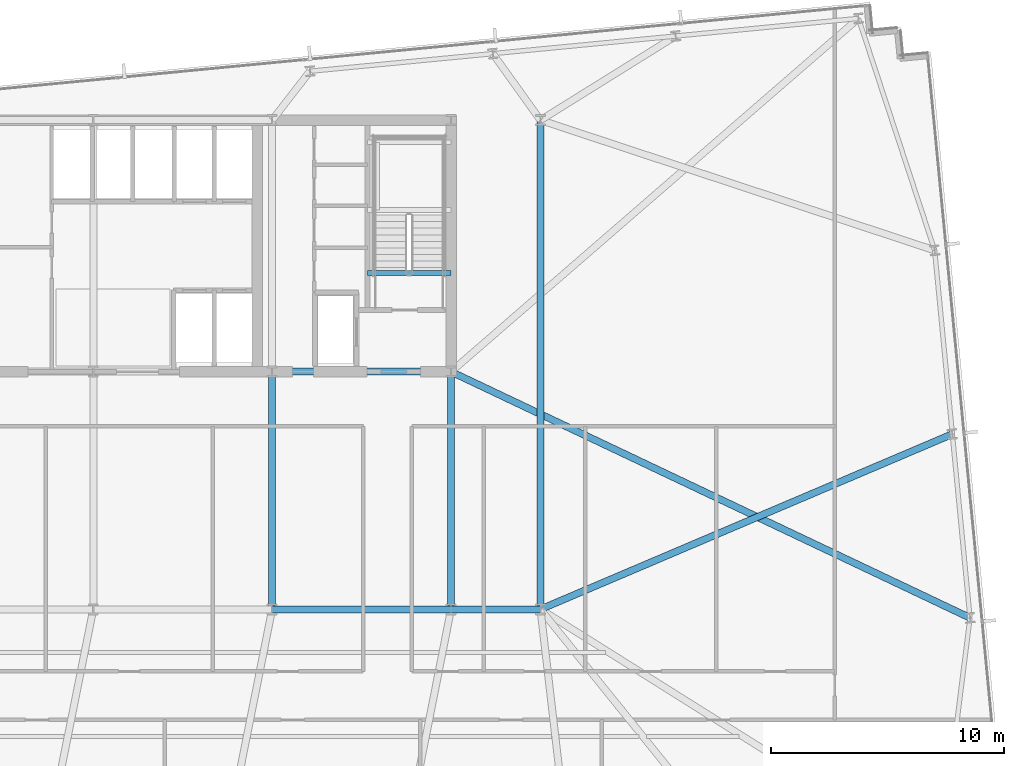
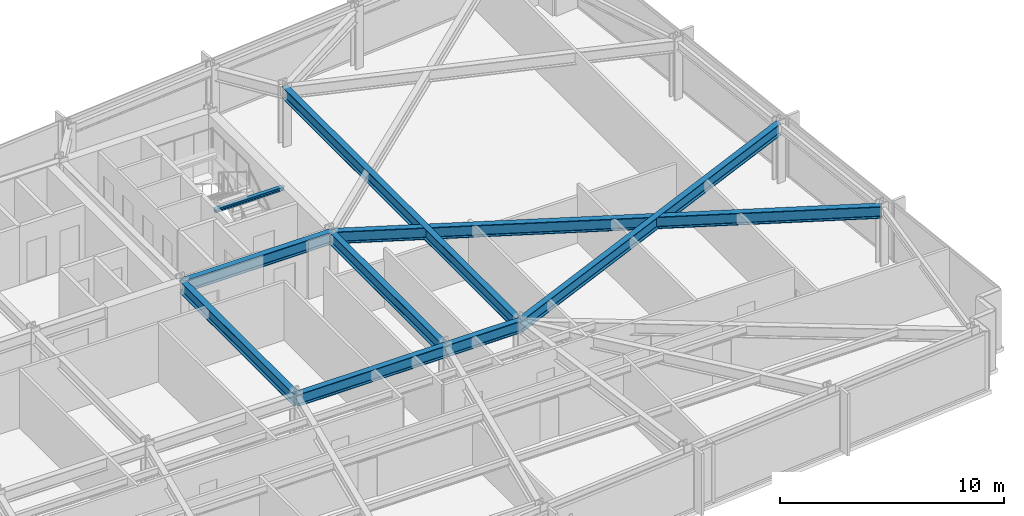
# One storey, part 15 of 33: 9 beams.
"""IFC4 building model written with IfcOpenShell, lengths in metres."""

import ifcopenshell
import ifcopenshell.guid

model = None  # the IFC model being written
_history = None  # IfcOwnerHistory: only IFC2X3 demands one
_inside = {}  # id of a spatial element -> (the spatial element, [elements in it])
_under = {}  # id of a project, library or spatial element -> (it, [spatial elements below it])
_declared = {}  # id of a project -> (the project, [libraries it declares])
_typed = {}  # id of a type object -> (the type object, [elements of that type])
_made_of = {}  # id of a material, layer set ... -> (it, [elements and type objects made of it])


def new_model(schema):
    """Start an empty IFC model of exactly this schema.

    Asked for "IFC4X3", IfcOpenShell would pick the latest addendum, in which some entities
    have other attributes; the version numbers below select the first issue.
    IFC2X3 requires an IfcOwnerHistory on every rooted entity: one is made here for all.
    """
    global model, _history
    if schema == "IFC4X3":
        model = ifcopenshell.file(schema_version=(4, 3, 0, 0))
    else:
        model = ifcopenshell.file(schema=schema)
    _inside.clear()
    _under.clear()
    _declared.clear()
    _typed.clear()
    _made_of.clear()
    _history = None
    if model.schema == "IFC2X3":
        org = make("IfcOrganization", Name="unknown")
        user = make(
            "IfcPersonAndOrganization",
            ThePerson=make("IfcPerson", FamilyName="unknown"),
            TheOrganization=org,
        )
        app = make(
            "IfcApplication",
            ApplicationDeveloper=org,
            Version="unknown",
            ApplicationFullName="unknown",
            ApplicationIdentifier="unknown",
        )
        _history = make(
            "IfcOwnerHistory",
            OwningUser=user,
            OwningApplication=app,
            ChangeAction="ADDED",
            CreationDate=0,
        )
    return model


def make(cls, **values):
    """One entity of the class cls with the attributes given. An attribute that is None is left unset."""
    return model.create_entity(
        cls, **{name: value for name, value in values.items() if value is not None}
    )


def rooted(cls, **values):
    """An entity with a GlobalId (a new one), such as an element, a storey or a relation."""
    return make(cls, GlobalId=ifcopenshell.guid.new(), OwnerHistory=_history, **values)


def si_unit(unit_type, name, prefix=None):
    """IfcSIUnit, for example si_unit("LENGTHUNIT", "METRE", prefix="MILLI")."""
    return make("IfcSIUnit", UnitType=unit_type, Prefix=prefix, Name=name)


def assignment(units):
    """IfcUnitAssignment: the units of a project."""
    return None if units is None else make("IfcUnitAssignment", Units=units)


def point(xyz):
    """IfcCartesianPoint."""
    return None if xyz is None else make("IfcCartesianPoint", Coordinates=xyz)


def direction(xyz):
    """IfcDirection."""
    return None if xyz is None else make("IfcDirection", DirectionRatios=xyz)


def frame(location, z_axis=None, x_axis=None):
    """IfcAxis2Placement3D, a coordinate frame: its origin and axes. An axis left out is left unset."""
    return make(
        "IfcAxis2Placement3D",
        Location=point(location),
        Axis=direction(z_axis),
        RefDirection=direction(x_axis),
    )


def frame_2d(location, x_axis=None):
    """IfcAxis2Placement2D, a coordinate frame in the plane: its origin and x axis."""
    return make(
        "IfcAxis2Placement2D", Location=point(location), RefDirection=direction(x_axis)
    )


def origin():
    """The frame at (0, 0, 0) with its axes left unset."""
    return frame((0.0, 0.0, 0.0))


def origin_2d():
    """The frame at (0, 0) in the plane with its x axis left unset."""
    return frame_2d((0.0, 0.0))


def place(relative_to, where):
    """IfcLocalPlacement: puts the frame where relative to a parent placement (None: the world)."""
    return make(
        "IfcLocalPlacement", PlacementRelTo=relative_to, RelativePlacement=where
    )


def context(
    kind, dimensions, precision=None, world=None, true_north=None, identifier=None
):
    """IfcGeometricRepresentationContext, for example the 3D "Model" context."""
    return make(
        "IfcGeometricRepresentationContext",
        ContextIdentifier=identifier,
        ContextType=kind,
        CoordinateSpaceDimension=dimensions,
        Precision=precision,
        WorldCoordinateSystem=world,
        TrueNorth=true_north,
    )


def subcontext(parent, identifier, kind, view, scale=None):
    """IfcGeometricRepresentationSubContext, for example "Body" below "Model"."""
    return make(
        "IfcGeometricRepresentationSubContext",
        ContextIdentifier=identifier,
        ContextType=kind,
        ParentContext=parent,
        TargetScale=scale,
        TargetView=view,
    )


def project(units=None, contexts=None):
    """IfcProject with its units and contexts."""
    return rooted(
        "IfcProject",
        Name="project",
        RepresentationContexts=contexts,
        UnitsInContext=assignment(units),
    )


def spatial(cls, under=None, at=None, **own):
    """A site, building, storey or space (cls), placed at a placement, below another one or the project."""
    s = rooted(cls, ObjectPlacement=at, **own)
    if under is not None:
        _under.setdefault(under.id(), (under, []))[1].append(s)
    return s


def profile(cls, at=None, kind="AREA", **sizes):
    """A parametric profile (cls). Its sizes go by their IFC names, for example OverallWidth=200.0."""
    return make(cls, ProfileType=kind, Position=at, **sizes)


def i_section(**sizes):
    """IfcIShapeProfileDef."""
    return profile("IfcIShapeProfileDef", **sizes)


def extrude(swept, where, along, depth):
    """IfcExtrudedAreaSolid: the profile swept, set in the frame where, extruded along a direction by depth."""
    return make(
        "IfcExtrudedAreaSolid",
        SweptArea=swept,
        Position=where,
        ExtrudedDirection=direction(along),
        Depth=depth,
    )


def shape(context_of_items, identifier, shape_type, items):
    """IfcShapeRepresentation: the items that make up one representation, for example the "Body"."""
    return make(
        "IfcShapeRepresentation",
        ContextOfItems=context_of_items,
        RepresentationIdentifier=identifier,
        RepresentationType=shape_type,
        Items=items,
    )


def material(Name=None, Category=None):
    """IfcMaterial."""
    return make("IfcMaterial", Name=Name, Category=Category)


def material_profile(
    of_material, cross_section, Name=None, Category=None, Priority=None
):
    """IfcMaterialProfile: a cross section and its material."""
    return make(
        "IfcMaterialProfile",
        Name=Name,
        Material=of_material,
        Profile=cross_section,
        Priority=Priority,
        Category=Category,
    )


def profile_set(profiles, Name=None, composite=None):
    """IfcMaterialProfileSet."""
    return make(
        "IfcMaterialProfileSet",
        Name=Name,
        MaterialProfiles=profiles,
        CompositeProfile=composite,
    )


def made_of(thing, what):
    """Note that an element or type object is made of a material, layer set ...; save() writes the relation."""
    if what is not None:
        _made_of.setdefault(what.id(), (what, []))[1].append(thing)
    return thing


def type_object(cls, material=None, **own):
    """A type object (cls), such as IfcWallType, which elements share."""
    return made_of(rooted(cls, **own), material)


def element(
    cls,
    number,
    at=None,
    inside=None,
    cuts=None,
    type_object=None,
    material=None,
    context=None,
    identifier="Body",
    shape_type=None,
    held_by="IfcProductDefinitionShape",
    body=None,
    shapes=None,
    **own,
):
    """One element of the class cls, such as IfcWall. Its Tag is "e" and its number.

    at: its placement. inside: the storey or other place that contains it. cuts: it is an
    opening in that element (IfcRelVoidsElement). A single representation is given by context,
    identifier, shape_type and body (its items); several are given by shapes. held_by: the class
    of the entity that holds the representations. save() writes the other relations.
    """
    e = rooted(cls, Tag="e%d" % number, ObjectPlacement=at, **own)
    if body is not None:
        shapes = [shape(context, identifier, shape_type, body)]
    if shapes is not None:
        e.Representation = make(held_by, Representations=shapes)
    if inside is not None:
        _inside.setdefault(inside.id(), (inside, []))[1].append(e)
    if cuts is not None:
        rooted(
            "IfcRelVoidsElement", RelatingBuildingElement=cuts, RelatedOpeningElement=e
        )
    if type_object is not None:
        _typed.setdefault(type_object.id(), (type_object, []))[1].append(e)
    return made_of(e, material)


def aggregate(whole, parts):
    """IfcRelAggregates: a whole, such as a stair, and the parts it consists of."""
    return rooted("IfcRelAggregates", RelatingObject=whole, RelatedObjects=parts)


def save(model, path):
    """Write the relations noted so far, then the file.

    IfcRelAggregates (storeys below a building ...), IfcRelContainedInSpatialStructure (elements
    in a storey), IfcRelDefinesByType, IfcRelAssociatesMaterial and IfcRelDeclares: one each for
    every whole, place, type object, material and project.
    """
    for whole, parts in _under.values():
        aggregate(whole, parts)
    for where, things in _inside.values():
        rooted(
            "IfcRelContainedInSpatialStructure",
            RelatedElements=things,
            RelatingStructure=where,
        )
    for kind, things in _typed.values():
        rooted("IfcRelDefinesByType", RelatedObjects=things, RelatingType=kind)
    for what, things in _made_of.values():
        rooted("IfcRelAssociatesMaterial", RelatedObjects=things, RelatingMaterial=what)
    for by, libraries in _declared.values():
        rooted("IfcRelDeclares", RelatingContext=by, RelatedDefinitions=libraries)
    model.write(path)


model = new_model("IFC4")

# Units and contexts
model_context = context("Model", 3, precision=1e-05, world=origin(), true_north=direction((0.0, 1.0)))
body_context = subcontext(model_context, "Body", "Model", "MODEL_VIEW")
ifc_project = project(units=[si_unit("LENGTHUNIT", "METRE"), si_unit("AREAUNIT", "SQUARE_METRE"), si_unit("VOLUMEUNIT", "CUBIC_METRE"), si_unit("PLANEANGLEUNIT", "RADIAN"), si_unit("MASSUNIT", "GRAM", prefix="KILO")], contexts=[model_context])

# Site, building, storey
site_placement = place(None, origin())
site = spatial("IfcSite", under=ifc_project, at=site_placement, CompositionType="ELEMENT")
building_placement = place(site_placement, origin())
building = spatial("IfcBuilding", under=site, at=building_placement, Name="Yelkora Congress Tower", CompositionType="ELEMENT")
storey_placement = place(building_placement, frame((0.0, 0.0, 123.699951171875)))
storey = spatial("IfcBuildingStorey", under=building, at=storey_placement, Name="L33", CompositionType="ELEMENT", Elevation=123.699951171875)

# Beams
ifc_material = material(Name="Steel S355J2", Category="steel")
ifc_material_profile_1 = material_profile(ifc_material, i_section(OverallWidth=0.300048828125, OverallDepth=0.64990234375, WebThickness=0.01611328125, FlangeThickness=0.031005859375, FilletRadius=0.027099609375, at=origin_2d()), Name="HEB 650")
ifc_profile_set_1 = profile_set([ifc_material_profile_1], Name="Steel S355J2")
beam_type_1 = type_object("IfcBeamType", Name="BM-GIRD-HEB650", PredefinedType="BEAM", material=ifc_profile_set_1)
beam_1_placement = place(storey_placement, frame((46.080078125, 25.199951171875, 2.85498046875), z_axis=(1.0, 0.0, 0.0), x_axis=(0.0, 1.0, 0.0)))
element("IfcBeam", 1, at=beam_1_placement, inside=storey, type_object=beam_type_1, Name="L33 Spine Grid D Girder 5", PredefinedType="BEAM", context=body_context, shape_type="SweptSolid", body=[
    extrude(i_section(OverallWidth=0.300048828125, OverallDepth=0.64990234375, WebThickness=0.01611328125, FlangeThickness=0.031005859375, FilletRadius=0.027099609375, at=origin_2d()), origin(), (0.0, 0.0, 1.0), 7.679931640625),
])
beam_2_placement = place(storey_placement, frame((53.760009765625, 25.199951171875, 2.85498046875), z_axis=(1.0, 0.0, 0.0), x_axis=(0.0, 1.0, 0.0)))
element("IfcBeam", 2, at=beam_2_placement, inside=storey, type_object=beam_type_1, Name="L33 Spine Grid D Girder 6", PredefinedType="BEAM", context=body_context, shape_type="SweptSolid", body=[
    extrude(i_section(OverallWidth=0.300048828125, OverallDepth=0.64990234375, WebThickness=0.01611328125, FlangeThickness=0.031005859375, FilletRadius=0.027099609375, at=origin_2d()), origin(), (0.0, 0.0, 1.0), 3.840087890625),
])
beam_3_placement = place(storey_placement, frame((46.080078125, 35.39990234375, 2.85498046875), z_axis=(1.0, 0.0, 0.0), x_axis=(0.0, 1.0, 0.0)))
element("IfcBeam", 3, at=beam_3_placement, inside=storey, type_object=beam_type_1, Name="L33 Core South Girder 4", PredefinedType="BEAM", context=body_context, shape_type="SweptSolid", body=[
    extrude(i_section(OverallWidth=0.300048828125, OverallDepth=0.64990234375, WebThickness=0.01611328125, FlangeThickness=0.031005859375, FilletRadius=0.027099609375, at=origin_2d()), origin(), (0.0, 0.0, 1.0), 7.679931640625),
])
for number, where, z_axis, x_axis, name in (
    (4, (46.080078125, 25.199951171875, 2.85498046875), (0.0, 1.0, 0.0), (-1.0, 0.0, 0.0), "L33 Core Tie Girder MC-D4"),
    (5, (53.760009765625, 25.199951171875, 2.85498046875), (0.0, 1.0, 0.0), (-1.0, 0.0, 0.0), "L33 Core Tie Girder MC-D5"),
):
    element("IfcBeam", number, at=place(storey_placement, frame(where, z_axis=z_axis, x_axis=x_axis)), inside=storey, type_object=beam_type_1, Name=name, PredefinedType="BEAM", context=body_context, shape_type="SweptSolid", body=[
        extrude(i_section(OverallWidth=0.300048828125, OverallDepth=0.64990234375, WebThickness=0.01611328125, FlangeThickness=0.031005859375, FilletRadius=0.027099609375, at=origin_2d()), origin(), (0.0, 0.0, 1.0), 10.199951171875),
    ])
beam_4_placement = place(storey_placement, frame((57.60009765625, 25.199951171875, 2.85498046875), z_axis=(0.0, 1.0, 0.0), x_axis=(-1.0, 0.0, 0.0)))
element("IfcBeam", 6, at=beam_4_placement, inside=storey, type_object=beam_type_1, Name="L33 Neck Flank Girder MC-F2", PredefinedType="BEAM", context=body_context, shape_type="SweptSolid", body=[
    extrude(i_section(OverallWidth=0.300048828125, OverallDepth=0.64990234375, WebThickness=0.01611328125, FlangeThickness=0.031005859375, FilletRadius=0.027099609375, at=origin_2d()), origin(), (0.0, 0.0, 1.0), 21.0),
])
beam_5_placement = place(storey_placement, frame((76.041259765625, 24.83349609375, 2.85498046875), z_axis=(-0.903547447445, 0.428488051427, 0.0), x_axis=(-0.428488051427, -0.903547447445, 0.0)))
element("IfcBeam", 7, at=beam_5_placement, inside=storey, type_object=beam_type_1, Name="L33 Primary Frame Girder E01", PredefinedType="BEAM", context=body_context, shape_type="SweptSolid", body=[
    extrude(i_section(OverallWidth=0.300048828125, OverallDepth=0.64990234375, WebThickness=0.01611328125, FlangeThickness=0.031005859375, FilletRadius=0.027099609375, at=origin_2d()), origin(), (0.0, 0.0, 1.0), 24.65966796875),
])
beam_6_placement = place(storey_placement, frame((75.28173828125, 32.721923828125, 2.85498046875), z_axis=(-0.920194564302, -0.391461318432, 0.0), x_axis=(0.391461318432, -0.920194564302, 0.0)))
element("IfcBeam", 8, at=beam_6_placement, inside=storey, type_object=beam_type_1, Name="L33 Primary Frame Girder E02", PredefinedType="BEAM", context=body_context, shape_type="SweptSolid", body=[
    extrude(i_section(OverallWidth=0.300048828125, OverallDepth=0.64990234375, WebThickness=0.01611328125, FlangeThickness=0.031005859375, FilletRadius=0.027099609375, at=origin_2d()), origin(), (0.0, 0.0, 1.0), 19.215087890625),
])
ifc_material_profile_2 = material_profile(ifc_material, i_section(OverallWidth=0.199951171875, OverallDepth=0.18994140625, WebThickness=0.006591796875, FlangeThickness=0.010009765625, FilletRadius=0.01806640625, at=origin_2d()), Name="HEA 200")
ifc_profile_set_2 = profile_set([ifc_material_profile_2], Name="Steel S355J2")
beam_type_2 = type_object("IfcBeamType", Name="BM-LAND-HEA200", PredefinedType="BEAM", material=ifc_profile_set_2)
beam_7_placement = place(storey_placement, frame((50.179931640625, 39.639892578125, 2.947509765625), z_axis=(1.0, 0.0, 0.0), x_axis=(0.0, 1.0, 0.0)))
element("IfcBeam", 9, at=beam_7_placement, inside=storey, type_object=beam_type_2, Name="ST-02 L33 Floor Arrival Stringer Header Beam", PredefinedType="BEAM", context=body_context, shape_type="SweptSolid", body=[
    extrude(i_section(OverallWidth=0.199951171875, OverallDepth=0.18994140625, WebThickness=0.006591796875, FlangeThickness=0.010009765625, FilletRadius=0.01806640625, at=origin_2d()), origin(), (0.0, 0.0, 1.0), 3.580078125),
])

save(model, "model.ifc")
